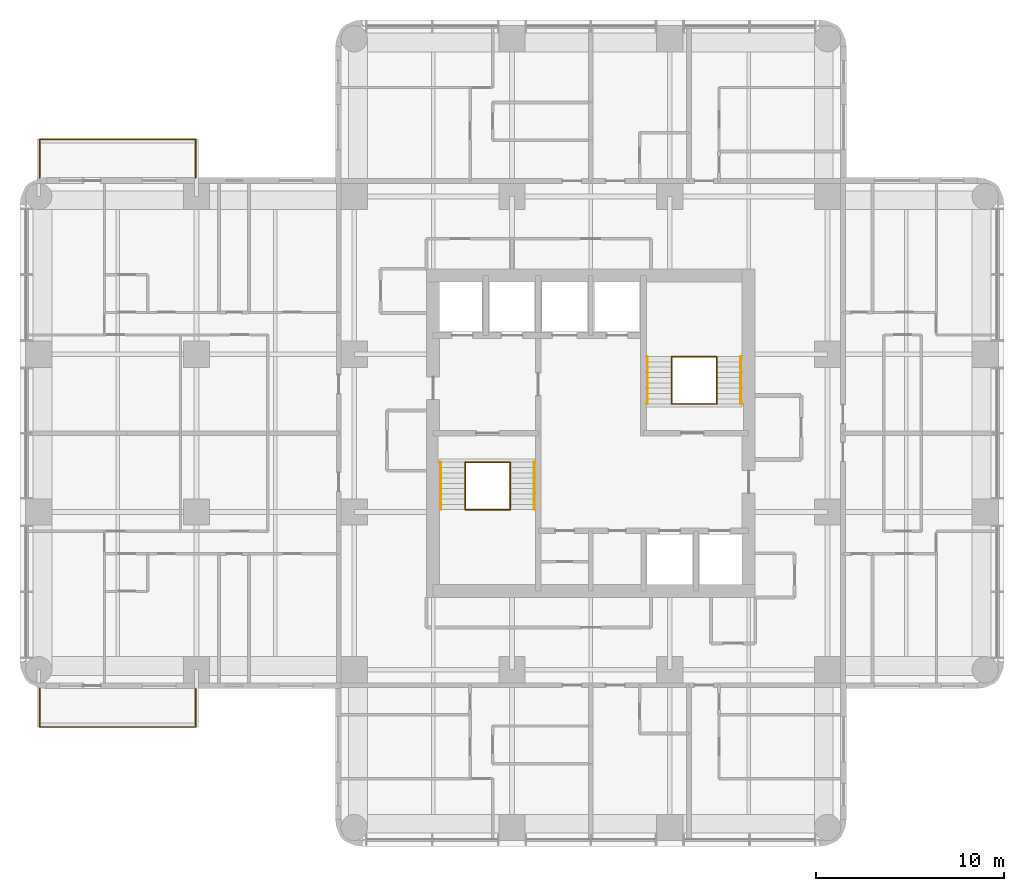
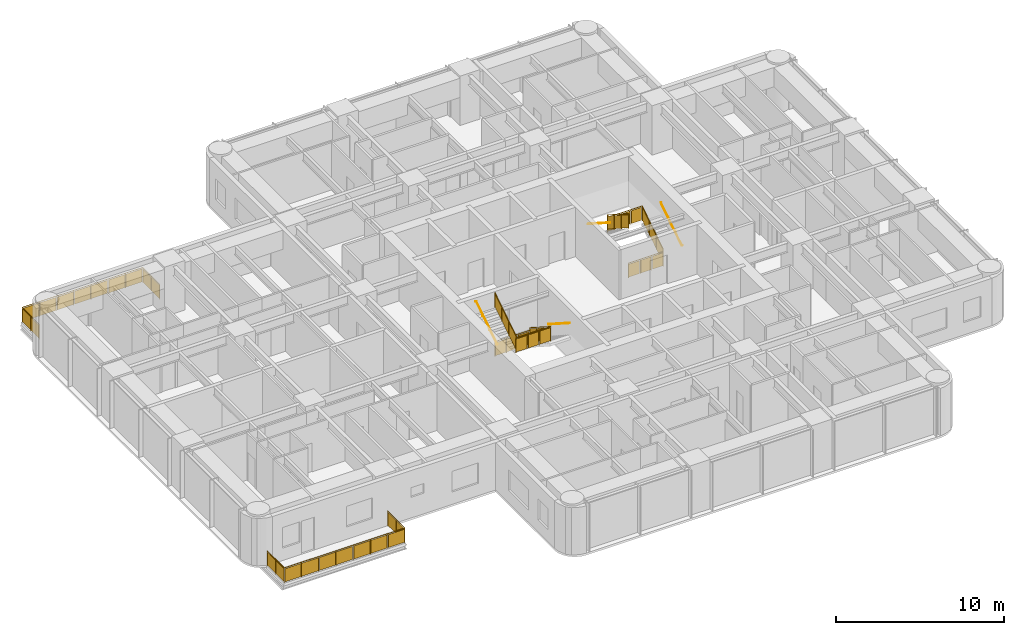
# One storey, part 11 of 11: 14 railings.
"""IFC4 building model written with IfcOpenShell, lengths in metres."""

from ifc_helpers import new_model, si_unit, direction, frame, origin, origin_2d, place, context, subcontext, project, spatial, polyline, circle, outline, extrude, material, constituent, constituent_set, type_object, element, save


model = new_model("IFC4")

# Units and contexts
model_context = context("Model", 3, precision=1e-05, world=origin(), true_north=direction((0.0, 1.0)))
body_context = subcontext(model_context, "Body", "Model", "MODEL_VIEW")
ifc_project = project(units=[si_unit("LENGTHUNIT", "METRE"), si_unit("AREAUNIT", "SQUARE_METRE"), si_unit("VOLUMEUNIT", "CUBIC_METRE"), si_unit("PLANEANGLEUNIT", "RADIAN"), si_unit("MASSUNIT", "GRAM", prefix="KILO")], contexts=[model_context])

# Site, building, storey
site_placement = place(None, origin())
site = spatial("IfcSite", under=ifc_project, at=site_placement, CompositionType="ELEMENT")
building_placement = place(site_placement, origin())
building = spatial("IfcBuilding", under=site, at=building_placement, Name="Torre Alcanfor", CompositionType="ELEMENT")
storey_placement = place(building_placement, frame((0.0, 0.0, 208.5)))
storey = spatial("IfcBuildingStorey", under=building, at=storey_placement, Name="L54", CompositionType="ELEMENT", Elevation=208.5)

# Railings
ifc_material_1 = material(Name="Laminated safety glass", Category="glass")
ifc_constituent_1 = constituent(ifc_material_1, Name="Infill")
ifc_material_2 = material(Name="Stainless steel ASTM A554 Grade MT 316L tube", Category="steel")
ifc_constituent_2 = constituent(ifc_material_2, Name="Posts and rail")
ifc_constituent_set = constituent_set(constituents=[ifc_constituent_1, ifc_constituent_2], Name="Balcony guard glass 1100")
railing_type_1 = type_object("IfcRailingType", Name="Balcony guard glass 1100", PredefinedType="BALUSTRADE", material=ifc_constituent_set)
railing_1_placement = place(storey_placement, frame((8.35009765625, 15.800048828125, 0.0)))
element("IfcRailing", 1, at=railing_1_placement, inside=storey, type_object=railing_type_1, Name="Balcony guard L54-W1", PredefinedType="BALUSTRADE", context=body_context, shape_type="SweptSolid", body=[
    extrude(circle(Radius=0.02392578125, at=origin_2d()), frame((0.0, 0.0, 1.076171875), z_axis=(0.0, -1.0, 0.0), x_axis=(1.0, 0.0, 0.0)), (0.0, 0.0, 1.0), 2.050048828125),
    extrude(circle(Radius=0.02392578125, at=origin_2d()), frame((0.0, -2.050048828125, 1.076171875), z_axis=(-1.0, 0.0, 0.0), x_axis=(0.0, -1.0, 0.0)), (0.0, 0.0, 1.0), 8.300048828125),
    extrude(circle(Radius=0.02392578125, at=origin_2d()), frame((-8.300048828125, -2.050048828125, 1.076171875), z_axis=(0.0, 1.0, 0.0), x_axis=(-1.0, 0.0, 0.0)), (0.0, 0.0, 1.0), 2.050048828125),
    extrude(circle(Radius=0.02099609375, at=origin_2d()), origin(), (0.0, 0.0, 1.0), 1.052001953125),
    extrude(circle(Radius=0.02099609375, at=origin_2d()), frame((0.0, -1.02490234375, 0.0)), (0.0, 0.0, 1.0), 1.052001953125),
    extrude(circle(Radius=0.02099609375, at=origin_2d()), frame((0.0, -2.050048828125, 0.0)), (0.0, 0.0, 1.0), 1.052001953125),
    extrude(circle(Radius=0.02099609375, at=origin_2d()), frame((-1.185791015625, -2.050048828125, 0.0)), (0.0, 0.0, 1.0), 1.052001953125),
    extrude(circle(Radius=0.02099609375, at=origin_2d()), frame((-2.371337890625, -2.050048828125, 0.0)), (0.0, 0.0, 1.0), 1.052001953125),
    extrude(circle(Radius=0.02099609375, at=origin_2d()), frame((-3.55712890625, -2.050048828125, 0.0)), (0.0, 0.0, 1.0), 1.052001953125),
    extrude(circle(Radius=0.02099609375, at=origin_2d()), frame((-4.742919921875, -2.050048828125, 0.0)), (0.0, 0.0, 1.0), 1.052001953125),
    extrude(circle(Radius=0.02099609375, at=origin_2d()), frame((-5.9287109375, -2.050048828125, 0.0)), (0.0, 0.0, 1.0), 1.052001953125),
    extrude(circle(Radius=0.02099609375, at=origin_2d()), frame((-7.1142578125, -2.050048828125, 0.0)), (0.0, 0.0, 1.0), 1.052001953125),
    extrude(circle(Radius=0.02099609375, at=origin_2d()), frame((-8.300048828125, -2.050048828125, 0.0)), (0.0, 0.0, 1.0), 1.052001953125),
    extrude(circle(Radius=0.02099609375, at=origin_2d()), frame((-8.300048828125, -1.02490234375, 0.0)), (0.0, 0.0, 1.0), 1.052001953125),
    extrude(circle(Radius=0.02099609375, at=origin_2d()), frame((-8.300048828125, 0.0, 0.0)), (0.0, 0.0, 1.0), 1.052001953125),
    extrude(outline(polyline([(0.041015625, 0.050048828125), (0.984130859375, 0.050048828125), (0.984130859375, 1.001953125), (0.041015625, 1.001953125), (0.041015625, 0.050048828125)])), frame((0.005859375, 0.0, 0.0), z_axis=(-1.0, 0.0, 0.0), x_axis=(0.0, -1.0, 0.0)), (0.0, 0.0, 1.0), 0.011962890625),
    extrude(outline(polyline([(1.06591796875, 0.050048828125), (2.009033203125, 0.050048828125), (2.009033203125, 1.001953125), (1.06591796875, 1.001953125), (1.06591796875, 0.050048828125)])), frame((0.005859375, 0.0, 0.0), z_axis=(-1.0, 0.0, 0.0), x_axis=(0.0, -1.0, 0.0)), (0.0, 0.0, 1.0), 0.011962890625),
    extrude(outline(polyline([(0.041015625, 0.050048828125), (1.144775390625, 0.050048828125), (1.144775390625, 1.001953125), (0.041015625, 1.001953125), (0.041015625, 0.050048828125)])), frame((0.0, -2.05615234375, 0.0), z_axis=(0.0, 1.0, 0.0), x_axis=(-1.0, 0.0, 0.0)), (0.0, 0.0, 1.0), 0.011962890625),
    extrude(outline(polyline([(1.226806640625, 0.050048828125), (2.330322265625, 0.050048828125), (2.330322265625, 1.001953125), (1.226806640625, 1.001953125), (1.226806640625, 0.050048828125)])), frame((0.0, -2.05615234375, 0.0), z_axis=(0.0, 1.0, 0.0), x_axis=(-1.0, 0.0, 0.0)), (0.0, 0.0, 1.0), 0.011962890625),
    extrude(outline(polyline([(2.412353515625, 0.050048828125), (3.51611328125, 0.050048828125), (3.51611328125, 1.001953125), (2.412353515625, 1.001953125), (2.412353515625, 0.050048828125)])), frame((0.0, -2.05615234375, 0.0), z_axis=(0.0, 1.0, 0.0), x_axis=(-1.0, 0.0, 0.0)), (0.0, 0.0, 1.0), 0.011962890625),
    extrude(outline(polyline([(3.59814453125, 0.050048828125), (4.701904296875, 0.050048828125), (4.701904296875, 1.001953125), (3.59814453125, 1.001953125), (3.59814453125, 0.050048828125)])), frame((0.0, -2.05615234375, 0.0), z_axis=(0.0, 1.0, 0.0), x_axis=(-1.0, 0.0, 0.0)), (0.0, 0.0, 1.0), 0.011962890625),
    extrude(outline(polyline([(4.783935546875, 0.050048828125), (5.8876953125, 0.050048828125), (5.8876953125, 1.001953125), (4.783935546875, 1.001953125), (4.783935546875, 0.050048828125)])), frame((0.0, -2.05615234375, 0.0), z_axis=(0.0, 1.0, 0.0), x_axis=(-1.0, 0.0, 0.0)), (0.0, 0.0, 1.0), 0.011962890625),
    extrude(outline(polyline([(5.9697265625, 0.050048828125), (7.0732421875, 0.050048828125), (7.0732421875, 1.001953125), (5.9697265625, 1.001953125), (5.9697265625, 0.050048828125)])), frame((0.0, -2.05615234375, 0.0), z_axis=(0.0, 1.0, 0.0), x_axis=(-1.0, 0.0, 0.0)), (0.0, 0.0, 1.0), 0.011962890625),
    extrude(outline(polyline([(7.1552734375, 0.050048828125), (8.259033203125, 0.050048828125), (8.259033203125, 1.001953125), (7.1552734375, 1.001953125), (7.1552734375, 0.050048828125)])), frame((0.0, -2.05615234375, 0.0), z_axis=(0.0, 1.0, 0.0), x_axis=(-1.0, 0.0, 0.0)), (0.0, 0.0, 1.0), 0.011962890625),
    extrude(outline(polyline([(0.041015625, 0.050048828125), (0.984130859375, 0.050048828125), (0.984130859375, 1.001953125), (0.041015625, 1.001953125), (0.041015625, 0.050048828125)])), frame((-8.30615234375, -2.050048828125, 0.0), z_axis=(1.0, 0.0, 0.0), x_axis=(0.0, 1.0, 0.0)), (0.0, 0.0, 1.0), 0.011962890625),
    extrude(outline(polyline([(1.06591796875, 0.050048828125), (2.009033203125, 0.050048828125), (2.009033203125, 1.001953125), (1.06591796875, 1.001953125), (1.06591796875, 0.050048828125)])), frame((-8.30615234375, -2.050048828125, 0.0), z_axis=(1.0, 0.0, 0.0), x_axis=(0.0, 1.0, 0.0)), (0.0, 0.0, 1.0), 0.011962890625),
])
railing_2_placement = place(storey_placement, frame((8.35009765625, 43.0, 0.0)))
element("IfcRailing", 2, at=railing_2_placement, inside=storey, type_object=railing_type_1, Name="Balcony guard L54-W2", PredefinedType="BALUSTRADE", context=body_context, shape_type="SweptSolid", body=[
    extrude(circle(Radius=0.02392578125, at=origin_2d()), frame((0.0, 0.0, 1.076171875), z_axis=(0.0, 1.0, 0.0), x_axis=(-1.0, 0.0, 0.0)), (0.0, 0.0, 1.0), 2.050048828125),
    extrude(circle(Radius=0.02392578125, at=origin_2d()), frame((0.0, 2.050048828125, 1.076171875), z_axis=(-1.0, 0.0, 0.0), x_axis=(0.0, -1.0, 0.0)), (0.0, 0.0, 1.0), 8.300048828125),
    extrude(circle(Radius=0.02392578125, at=origin_2d()), frame((-8.300048828125, 2.050048828125, 1.076171875), z_axis=(0.0, -1.0, 0.0), x_axis=(1.0, 0.0, 0.0)), (0.0, 0.0, 1.0), 2.050048828125),
    extrude(circle(Radius=0.02099609375, at=origin_2d()), origin(), (0.0, 0.0, 1.0), 1.052001953125),
    extrude(circle(Radius=0.02099609375, at=origin_2d()), frame((0.0, 1.02490234375, 0.0)), (0.0, 0.0, 1.0), 1.052001953125),
    extrude(circle(Radius=0.02099609375, at=origin_2d()), frame((0.0, 2.050048828125, 0.0)), (0.0, 0.0, 1.0), 1.052001953125),
    extrude(circle(Radius=0.02099609375, at=origin_2d()), frame((-1.185791015625, 2.050048828125, 0.0)), (0.0, 0.0, 1.0), 1.052001953125),
    extrude(circle(Radius=0.02099609375, at=origin_2d()), frame((-2.371337890625, 2.050048828125, 0.0)), (0.0, 0.0, 1.0), 1.052001953125),
    extrude(circle(Radius=0.02099609375, at=origin_2d()), frame((-3.55712890625, 2.050048828125, 0.0)), (0.0, 0.0, 1.0), 1.052001953125),
    extrude(circle(Radius=0.02099609375, at=origin_2d()), frame((-4.742919921875, 2.050048828125, 0.0)), (0.0, 0.0, 1.0), 1.052001953125),
    extrude(circle(Radius=0.02099609375, at=origin_2d()), frame((-5.9287109375, 2.050048828125, 0.0)), (0.0, 0.0, 1.0), 1.052001953125),
    extrude(circle(Radius=0.02099609375, at=origin_2d()), frame((-7.1142578125, 2.050048828125, 0.0)), (0.0, 0.0, 1.0), 1.052001953125),
    extrude(circle(Radius=0.02099609375, at=origin_2d()), frame((-8.300048828125, 2.050048828125, 0.0)), (0.0, 0.0, 1.0), 1.052001953125),
    extrude(circle(Radius=0.02099609375, at=origin_2d()), frame((-8.300048828125, 1.02490234375, 0.0)), (0.0, 0.0, 1.0), 1.052001953125),
    extrude(circle(Radius=0.02099609375, at=origin_2d()), frame((-8.300048828125, 0.0, 0.0)), (0.0, 0.0, 1.0), 1.052001953125),
    extrude(outline(polyline([(0.041015625, 0.050048828125), (0.984130859375, 0.050048828125), (0.984130859375, 1.001953125), (0.041015625, 1.001953125), (0.041015625, 0.050048828125)])), frame((-0.005859375, 0.0, 0.0), z_axis=(1.0, 0.0, 0.0), x_axis=(0.0, 1.0, 0.0)), (0.0, 0.0, 1.0), 0.011962890625),
    extrude(outline(polyline([(1.06591796875, 0.050048828125), (2.009033203125, 0.050048828125), (2.009033203125, 1.001953125), (1.06591796875, 1.001953125), (1.06591796875, 0.050048828125)])), frame((-0.005859375, 0.0, 0.0), z_axis=(1.0, 0.0, 0.0), x_axis=(0.0, 1.0, 0.0)), (0.0, 0.0, 1.0), 0.011962890625),
    extrude(outline(polyline([(0.041015625, 0.050048828125), (1.144775390625, 0.050048828125), (1.144775390625, 1.001953125), (0.041015625, 1.001953125), (0.041015625, 0.050048828125)])), frame((0.0, 2.0439453125, 0.0), z_axis=(0.0, 1.0, 0.0), x_axis=(-1.0, 0.0, 0.0)), (0.0, 0.0, 1.0), 0.011962890625),
    extrude(outline(polyline([(1.226806640625, 0.050048828125), (2.330322265625, 0.050048828125), (2.330322265625, 1.001953125), (1.226806640625, 1.001953125), (1.226806640625, 0.050048828125)])), frame((0.0, 2.0439453125, 0.0), z_axis=(0.0, 1.0, 0.0), x_axis=(-1.0, 0.0, 0.0)), (0.0, 0.0, 1.0), 0.011962890625),
    extrude(outline(polyline([(2.412353515625, 0.050048828125), (3.51611328125, 0.050048828125), (3.51611328125, 1.001953125), (2.412353515625, 1.001953125), (2.412353515625, 0.050048828125)])), frame((0.0, 2.0439453125, 0.0), z_axis=(0.0, 1.0, 0.0), x_axis=(-1.0, 0.0, 0.0)), (0.0, 0.0, 1.0), 0.011962890625),
    extrude(outline(polyline([(3.59814453125, 0.050048828125), (4.701904296875, 0.050048828125), (4.701904296875, 1.001953125), (3.59814453125, 1.001953125), (3.59814453125, 0.050048828125)])), frame((0.0, 2.0439453125, 0.0), z_axis=(0.0, 1.0, 0.0), x_axis=(-1.0, 0.0, 0.0)), (0.0, 0.0, 1.0), 0.011962890625),
    extrude(outline(polyline([(4.783935546875, 0.050048828125), (5.8876953125, 0.050048828125), (5.8876953125, 1.001953125), (4.783935546875, 1.001953125), (4.783935546875, 0.050048828125)])), frame((0.0, 2.0439453125, 0.0), z_axis=(0.0, 1.0, 0.0), x_axis=(-1.0, 0.0, 0.0)), (0.0, 0.0, 1.0), 0.011962890625),
    extrude(outline(polyline([(5.9697265625, 0.050048828125), (7.0732421875, 0.050048828125), (7.0732421875, 1.001953125), (5.9697265625, 1.001953125), (5.9697265625, 0.050048828125)])), frame((0.0, 2.0439453125, 0.0), z_axis=(0.0, 1.0, 0.0), x_axis=(-1.0, 0.0, 0.0)), (0.0, 0.0, 1.0), 0.011962890625),
    extrude(outline(polyline([(7.1552734375, 0.050048828125), (8.259033203125, 0.050048828125), (8.259033203125, 1.001953125), (7.1552734375, 1.001953125), (7.1552734375, 0.050048828125)])), frame((0.0, 2.0439453125, 0.0), z_axis=(0.0, 1.0, 0.0), x_axis=(-1.0, 0.0, 0.0)), (0.0, 0.0, 1.0), 0.011962890625),
    extrude(outline(polyline([(0.041015625, 0.050048828125), (0.984130859375, 0.050048828125), (0.984130859375, 1.001953125), (0.041015625, 1.001953125), (0.041015625, 0.050048828125)])), frame((-8.2939453125, 2.050048828125, 0.0), z_axis=(-1.0, 0.0, 0.0), x_axis=(0.0, -1.0, 0.0)), (0.0, 0.0, 1.0), 0.011962890625),
    extrude(outline(polyline([(1.06591796875, 0.050048828125), (2.009033203125, 0.050048828125), (2.009033203125, 1.001953125), (1.06591796875, 1.001953125), (1.06591796875, 0.050048828125)])), frame((-8.2939453125, 2.050048828125, 0.0), z_axis=(-1.0, 0.0, 0.0), x_axis=(0.0, -1.0, 0.0)), (0.0, 0.0, 1.0), 0.011962890625),
])
ifc_material_3 = material(Name="Steel ASTM A500 Grade C hollow sections", Category="steel")
railing_type_2 = type_object("IfcRailingType", Name="Stair guard and handrail 1100", PredefinedType="GUARDRAIL", material=ifc_material_3)
railing_3_placement = place(storey_placement, frame((25.10009765625, 27.85009765625, 0.179931640625)))
element("IfcRailing", 3, at=railing_3_placement, inside=storey, type_object=railing_type_2, Name="Stair guard S1 L54 flight 1", PredefinedType="GUARDRAIL", context=body_context, shape_type="SweptSolid", body=[
    extrude(circle(Radius=0.02392578125, at=origin_2d()), frame((0.0, 0.0, 1.076171875), z_axis=(0.0, -0.841162588446, 0.540782303519), x_axis=(1.0, 0.0, 0.0)), (0.0, 0.0, 1.0), 2.995849609375),
    extrude(circle(Radius=0.02099609375, at=origin_2d()), origin(), (0.0, 0.0, 1.0), 1.052001953125),
    extrude(circle(Radius=0.02099609375, at=origin_2d()), frame((0.0, -0.840087890625, 0.5400390625)), (0.0, 0.0, 1.0), 1.052001953125),
    extrude(circle(Radius=0.02099609375, at=origin_2d()), frame((0.0, -1.679931640625, 1.080078125)), (0.0, 0.0, 1.0), 1.052001953125),
    extrude(circle(Radius=0.02099609375, at=origin_2d()), frame((0.0, -2.52001953125, 1.6201171875)), (0.0, 0.0, 1.0), 1.052001953125),
    extrude(outline(polyline([(0.041015625, 0.076416015625), (0.799072265625, 0.563720703125), (0.799072265625, 1.515625), (0.041015625, 1.0283203125), (0.041015625, 0.076416015625)])), frame((0.005859375, 0.0, 0.0), z_axis=(-1.0, 0.0, 0.0), x_axis=(0.0, -1.0, 0.0)), (0.0, 0.0, 1.0), 0.011962890625),
    extrude(outline(polyline([(0.881103515625, 0.616455078125), (1.638916015625, 1.103759765625), (1.638916015625, 2.0556640625), (0.881103515625, 1.568359375), (0.881103515625, 0.616455078125)])), frame((0.005859375, 0.0, 0.0), z_axis=(-1.0, 0.0, 0.0), x_axis=(0.0, -1.0, 0.0)), (0.0, 0.0, 1.0), 0.011962890625),
    extrude(outline(polyline([(1.720947265625, 1.156494140625), (2.47900390625, 1.643798828125), (2.47900390625, 2.595703125), (1.720947265625, 2.1083984375), (1.720947265625, 1.156494140625)])), frame((0.005859375, 0.0, 0.0), z_axis=(-1.0, 0.0, 0.0), x_axis=(0.0, -1.0, 0.0)), (0.0, 0.0, 1.0), 0.011962890625),
])
railing_4_placement = place(storey_placement, frame((22.699951171875, 25.330078125, 1.97998046875)))
element("IfcRailing", 4, at=railing_4_placement, inside=storey, type_object=railing_type_2, Name="Stair guard S1 L54 flight 2", PredefinedType="GUARDRAIL", context=body_context, shape_type="SweptSolid", body=[
    extrude(circle(Radius=0.02392578125, at=origin_2d()), frame((0.0, 0.0, 1.076171875), z_axis=(0.0, 0.841162588446, 0.540782303519), x_axis=(-1.0, 0.0, 0.0)), (0.0, 0.0, 1.0), 2.995849609375),
    extrude(circle(Radius=0.02099609375, at=origin_2d()), origin(), (0.0, 0.0, 1.0), 1.052001953125),
    extrude(circle(Radius=0.02099609375, at=origin_2d()), frame((0.0, 0.840087890625, 0.5400390625)), (0.0, 0.0, 1.0), 1.052001953125),
    extrude(circle(Radius=0.02099609375, at=origin_2d()), frame((0.0, 1.679931640625, 1.080078125)), (0.0, 0.0, 1.0), 1.052001953125),
    extrude(circle(Radius=0.02099609375, at=origin_2d()), frame((0.0, 2.52001953125, 1.6201171875)), (0.0, 0.0, 1.0), 1.052001953125),
    extrude(outline(polyline([(0.041015625, 0.076416015625), (0.799072265625, 0.563720703125), (0.799072265625, 1.515625), (0.041015625, 1.0283203125), (0.041015625, 0.076416015625)])), frame((-0.005859375, 0.0, 0.0), z_axis=(1.0, 0.0, 0.0), x_axis=(0.0, 1.0, 0.0)), (0.0, 0.0, 1.0), 0.011962890625),
    extrude(outline(polyline([(0.881103515625, 0.616455078125), (1.638916015625, 1.103759765625), (1.638916015625, 2.0556640625), (0.881103515625, 1.568359375), (0.881103515625, 0.616455078125)])), frame((-0.005859375, 0.0, 0.0), z_axis=(1.0, 0.0, 0.0), x_axis=(0.0, 1.0, 0.0)), (0.0, 0.0, 1.0), 0.011962890625),
    extrude(outline(polyline([(1.720947265625, 1.156494140625), (2.47900390625, 1.643798828125), (2.47900390625, 2.595703125), (1.720947265625, 2.1083984375), (1.720947265625, 1.156494140625)])), frame((-0.005859375, 0.0, 0.0), z_axis=(1.0, 0.0, 0.0), x_axis=(0.0, 1.0, 0.0)), (0.0, 0.0, 1.0), 0.011962890625),
])
for number, where, name in (
    (5, (22.699951171875, 27.85009765625, 0.0), "Stair well guard S1 L54 floor landing"),
    (6, (22.699951171875, 25.330078125, 1.800048828125), "Stair well guard S1 L54 half landing"),
):
    element("IfcRailing", number, at=place(storey_placement, frame(where)), inside=storey, type_object=railing_type_2, Name=name, PredefinedType="GUARDRAIL", context=body_context, shape_type="SweptSolid", body=[
        extrude(circle(Radius=0.02392578125, at=origin_2d()), frame((0.0, 0.0, 1.076171875), z_axis=(1.0, 0.0, 0.0), x_axis=(0.0, 1.0, 0.0)), (0.0, 0.0, 1.0), 2.400146484375),
        extrude(circle(Radius=0.02099609375, at=origin_2d()), origin(), (0.0, 0.0, 1.0), 1.052001953125),
        extrude(circle(Radius=0.02099609375, at=origin_2d()), frame((0.800048828125, 0.0, 0.0)), (0.0, 0.0, 1.0), 1.052001953125),
        extrude(circle(Radius=0.02099609375, at=origin_2d()), frame((1.60009765625, 0.0, 0.0)), (0.0, 0.0, 1.0), 1.052001953125),
        extrude(circle(Radius=0.02099609375, at=origin_2d()), frame((2.400146484375, 0.0, 0.0)), (0.0, 0.0, 1.0), 1.052001953125),
        extrude(outline(polyline([(0.041015625, 0.050048828125), (0.759033203125, 0.050048828125), (0.759033203125, 1.001953125), (0.041015625, 1.001953125), (0.041015625, 0.050048828125)])), frame((0.0, 0.005859375, 0.0), z_axis=(0.0, -1.0, 0.0), x_axis=(1.0, 0.0, 0.0)), (0.0, 0.0, 1.0), 0.011962890625),
        extrude(outline(polyline([(0.841064453125, 0.050048828125), (1.55908203125, 0.050048828125), (1.55908203125, 1.001953125), (0.841064453125, 1.001953125), (0.841064453125, 0.050048828125)])), frame((0.0, 0.005859375, 0.0), z_axis=(0.0, -1.0, 0.0), x_axis=(1.0, 0.0, 0.0)), (0.0, 0.0, 1.0), 0.011962890625),
        extrude(outline(polyline([(1.64111328125, 0.050048828125), (2.359130859375, 0.050048828125), (2.359130859375, 1.001953125), (1.64111328125, 1.001953125), (1.64111328125, 0.050048828125)])), frame((0.0, 0.005859375, 0.0), z_axis=(0.0, -1.0, 0.0), x_axis=(1.0, 0.0, 0.0)), (0.0, 0.0, 1.0), 0.011962890625),
    ])
railing_5_placement = place(storey_placement, frame((36.10009765625, 30.949951171875, 0.179931640625)))
element("IfcRailing", 7, at=railing_5_placement, inside=storey, type_object=railing_type_2, Name="Stair guard S2 L54 flight 1", PredefinedType="GUARDRAIL", context=body_context, shape_type="SweptSolid", body=[
    extrude(circle(Radius=0.02392578125, at=origin_2d()), frame((0.0, 0.0, 1.076171875), z_axis=(0.0, 0.841162588446, 0.540782303519), x_axis=(-1.0, 0.0, 0.0)), (0.0, 0.0, 1.0), 2.995849609375),
    extrude(circle(Radius=0.02099609375, at=origin_2d()), origin(), (0.0, 0.0, 1.0), 1.052001953125),
    extrude(circle(Radius=0.02099609375, at=origin_2d()), frame((0.0, 0.840087890625, 0.5400390625)), (0.0, 0.0, 1.0), 1.052001953125),
    extrude(circle(Radius=0.02099609375, at=origin_2d()), frame((0.0, 1.679931640625, 1.080078125)), (0.0, 0.0, 1.0), 1.052001953125),
    extrude(circle(Radius=0.02099609375, at=origin_2d()), frame((0.0, 2.52001953125, 1.6201171875)), (0.0, 0.0, 1.0), 1.052001953125),
    extrude(outline(polyline([(0.041015625, 0.076416015625), (0.799072265625, 0.563720703125), (0.799072265625, 1.515625), (0.041015625, 1.0283203125), (0.041015625, 0.076416015625)])), frame((-0.005859375, 0.0, 0.0), z_axis=(1.0, 0.0, 0.0), x_axis=(0.0, 1.0, 0.0)), (0.0, 0.0, 1.0), 0.011962890625),
    extrude(outline(polyline([(0.881103515625, 0.616455078125), (1.638916015625, 1.103759765625), (1.638916015625, 2.0556640625), (0.881103515625, 1.568359375), (0.881103515625, 0.616455078125)])), frame((-0.005859375, 0.0, 0.0), z_axis=(1.0, 0.0, 0.0), x_axis=(0.0, 1.0, 0.0)), (0.0, 0.0, 1.0), 0.011962890625),
    extrude(outline(polyline([(1.720947265625, 1.156494140625), (2.47900390625, 1.643798828125), (2.47900390625, 2.595703125), (1.720947265625, 2.1083984375), (1.720947265625, 1.156494140625)])), frame((-0.005859375, 0.0, 0.0), z_axis=(1.0, 0.0, 0.0), x_axis=(0.0, 1.0, 0.0)), (0.0, 0.0, 1.0), 0.011962890625),
])
railing_6_placement = place(storey_placement, frame((33.699951171875, 33.469970703125, 1.97998046875)))
element("IfcRailing", 8, at=railing_6_placement, inside=storey, type_object=railing_type_2, Name="Stair guard S2 L54 flight 2", PredefinedType="GUARDRAIL", context=body_context, shape_type="SweptSolid", body=[
    extrude(circle(Radius=0.02392578125, at=origin_2d()), frame((0.0, 0.0, 1.076171875), z_axis=(0.0, -0.841162588446, 0.540782303519), x_axis=(1.0, 0.0, 0.0)), (0.0, 0.0, 1.0), 2.995849609375),
    extrude(circle(Radius=0.02099609375, at=origin_2d()), origin(), (0.0, 0.0, 1.0), 1.052001953125),
    extrude(circle(Radius=0.02099609375, at=origin_2d()), frame((0.0, -0.840087890625, 0.5400390625)), (0.0, 0.0, 1.0), 1.052001953125),
    extrude(circle(Radius=0.02099609375, at=origin_2d()), frame((0.0, -1.679931640625, 1.080078125)), (0.0, 0.0, 1.0), 1.052001953125),
    extrude(circle(Radius=0.02099609375, at=origin_2d()), frame((0.0, -2.52001953125, 1.6201171875)), (0.0, 0.0, 1.0), 1.052001953125),
    extrude(outline(polyline([(0.041015625, 0.076416015625), (0.799072265625, 0.563720703125), (0.799072265625, 1.515625), (0.041015625, 1.0283203125), (0.041015625, 0.076416015625)])), frame((0.005859375, 0.0, 0.0), z_axis=(-1.0, 0.0, 0.0), x_axis=(0.0, -1.0, 0.0)), (0.0, 0.0, 1.0), 0.011962890625),
    extrude(outline(polyline([(0.881103515625, 0.616455078125), (1.638916015625, 1.103759765625), (1.638916015625, 2.0556640625), (0.881103515625, 1.568359375), (0.881103515625, 0.616455078125)])), frame((0.005859375, 0.0, 0.0), z_axis=(-1.0, 0.0, 0.0), x_axis=(0.0, -1.0, 0.0)), (0.0, 0.0, 1.0), 0.011962890625),
    extrude(outline(polyline([(1.720947265625, 1.156494140625), (2.47900390625, 1.643798828125), (2.47900390625, 2.595703125), (1.720947265625, 2.1083984375), (1.720947265625, 1.156494140625)])), frame((0.005859375, 0.0, 0.0), z_axis=(-1.0, 0.0, 0.0), x_axis=(0.0, -1.0, 0.0)), (0.0, 0.0, 1.0), 0.011962890625),
])
for number, where, name in (
    (9, (33.699951171875, 30.949951171875, 0.0), "Stair well guard S2 L54 floor landing"),
    (10, (33.699951171875, 33.469970703125, 1.800048828125), "Stair well guard S2 L54 half landing"),
):
    element("IfcRailing", number, at=place(storey_placement, frame(where)), inside=storey, type_object=railing_type_2, Name=name, PredefinedType="GUARDRAIL", context=body_context, shape_type="SweptSolid", body=[
        extrude(circle(Radius=0.02392578125, at=origin_2d()), frame((0.0, 0.0, 1.076171875), z_axis=(1.0, 0.0, 0.0), x_axis=(0.0, 1.0, 0.0)), (0.0, 0.0, 1.0), 2.400146484375),
        extrude(circle(Radius=0.02099609375, at=origin_2d()), origin(), (0.0, 0.0, 1.0), 1.052001953125),
        extrude(circle(Radius=0.02099609375, at=origin_2d()), frame((0.800048828125, 0.0, 0.0)), (0.0, 0.0, 1.0), 1.052001953125),
        extrude(circle(Radius=0.02099609375, at=origin_2d()), frame((1.60009765625, 0.0, 0.0)), (0.0, 0.0, 1.0), 1.052001953125),
        extrude(circle(Radius=0.02099609375, at=origin_2d()), frame((2.400146484375, 0.0, 0.0)), (0.0, 0.0, 1.0), 1.052001953125),
        extrude(outline(polyline([(0.041015625, 0.050048828125), (0.759033203125, 0.050048828125), (0.759033203125, 1.001953125), (0.041015625, 1.001953125), (0.041015625, 0.050048828125)])), frame((0.0, 0.005859375, 0.0), z_axis=(0.0, -1.0, 0.0), x_axis=(1.0, 0.0, 0.0)), (0.0, 0.0, 1.0), 0.011962890625),
        extrude(outline(polyline([(0.841064453125, 0.050048828125), (1.55908203125, 0.050048828125), (1.55908203125, 1.001953125), (0.841064453125, 1.001953125), (0.841064453125, 0.050048828125)])), frame((0.0, 0.005859375, 0.0), z_axis=(0.0, -1.0, 0.0), x_axis=(1.0, 0.0, 0.0)), (0.0, 0.0, 1.0), 0.011962890625),
        extrude(outline(polyline([(1.64111328125, 0.050048828125), (2.359130859375, 0.050048828125), (2.359130859375, 1.001953125), (1.64111328125, 1.001953125), (1.64111328125, 0.050048828125)])), frame((0.0, 0.005859375, 0.0), z_axis=(0.0, -1.0, 0.0), x_axis=(1.0, 0.0, 0.0)), (0.0, 0.0, 1.0), 0.011962890625),
    ])
ifc_material_4 = material(Name="Steel ASTM A500 Grade C hollow sections", Category="steel")
railing_type_3 = type_object("IfcRailingType", Name="Stair wall handrail 900", PredefinedType="HANDRAIL", material=ifc_material_4)
railing_7_placement = place(storey_placement, frame((26.385009765625, 27.85009765625, 0.179931640625)))
element("IfcRailing", 11, at=railing_7_placement, inside=storey, type_object=railing_type_3, Name="Stair handrail S1 L54 flight 1", PredefinedType="HANDRAIL", context=body_context, shape_type="SweptSolid", body=[
    extrude(circle(Radius=0.02392578125, at=origin_2d()), frame((0.0, 0.0, 0.8759765625), z_axis=(0.0, -0.841162588446, 0.540782303519), x_axis=(1.0, 0.0, 0.0)), (0.0, 0.0, 1.0), 2.995849609375),
    extrude(circle(Radius=0.008056640625, at=origin_2d()), frame((0.0, 0.0, 0.8759765625), z_axis=(1.0, 0.0, 0.0), x_axis=(0.0, 0.0, 1.0)), (0.0, 0.0, 1.0), 0.06494140625),
    extrude(circle(Radius=0.008056640625, at=origin_2d()), frame((0.0, -0.840087890625, 1.416015625), z_axis=(1.0, 0.0, 0.0), x_axis=(0.0, 0.0, 1.0)), (0.0, 0.0, 1.0), 0.06494140625),
    extrude(circle(Radius=0.008056640625, at=origin_2d()), frame((0.0, -1.679931640625, 1.9560546875), z_axis=(1.0, 0.0, 0.0), x_axis=(0.0, 0.0, 1.0)), (0.0, 0.0, 1.0), 0.06494140625),
    extrude(circle(Radius=0.008056640625, at=origin_2d()), frame((0.0, -2.52001953125, 2.49609375), z_axis=(1.0, 0.0, 0.0), x_axis=(0.0, 0.0, 1.0)), (0.0, 0.0, 1.0), 0.06494140625),
])
railing_8_placement = place(storey_placement, frame((21.4150390625, 25.330078125, 1.97998046875)))
element("IfcRailing", 12, at=railing_8_placement, inside=storey, type_object=railing_type_3, Name="Stair handrail S1 L54 flight 2", PredefinedType="HANDRAIL", context=body_context, shape_type="SweptSolid", body=[
    extrude(circle(Radius=0.02392578125, at=origin_2d()), frame((0.0, 0.0, 0.8759765625), z_axis=(0.0, 0.841162588446, 0.540782303519), x_axis=(-1.0, 0.0, 0.0)), (0.0, 0.0, 1.0), 2.995849609375),
    extrude(circle(Radius=0.008056640625, at=origin_2d()), frame((0.0, 0.0, 0.8759765625), z_axis=(-1.0, 0.0, 0.0), x_axis=(0.0, 0.0, 1.0)), (0.0, 0.0, 1.0), 0.06494140625),
    extrude(circle(Radius=0.008056640625, at=origin_2d()), frame((0.0, 0.840087890625, 1.416015625), z_axis=(-1.0, 0.0, 0.0), x_axis=(0.0, 0.0, 1.0)), (0.0, 0.0, 1.0), 0.06494140625),
    extrude(circle(Radius=0.008056640625, at=origin_2d()), frame((0.0, 1.679931640625, 1.9560546875), z_axis=(-1.0, 0.0, 0.0), x_axis=(0.0, 0.0, 1.0)), (0.0, 0.0, 1.0), 0.06494140625),
    extrude(circle(Radius=0.008056640625, at=origin_2d()), frame((0.0, 2.52001953125, 2.49609375), z_axis=(-1.0, 0.0, 0.0), x_axis=(0.0, 0.0, 1.0)), (0.0, 0.0, 1.0), 0.06494140625),
])
railing_9_placement = place(storey_placement, frame((37.385009765625, 30.949951171875, 0.179931640625)))
element("IfcRailing", 13, at=railing_9_placement, inside=storey, type_object=railing_type_3, Name="Stair handrail S2 L54 flight 1", PredefinedType="HANDRAIL", context=body_context, shape_type="SweptSolid", body=[
    extrude(circle(Radius=0.02392578125, at=origin_2d()), frame((0.0, 0.0, 0.8759765625), z_axis=(0.0, 0.841162588446, 0.540782303519), x_axis=(-1.0, 0.0, 0.0)), (0.0, 0.0, 1.0), 2.995849609375),
    extrude(circle(Radius=0.008056640625, at=origin_2d()), frame((0.0, 0.0, 0.8759765625), z_axis=(1.0, 0.0, 0.0), x_axis=(0.0, 0.0, 1.0)), (0.0, 0.0, 1.0), 0.06494140625),
    extrude(circle(Radius=0.008056640625, at=origin_2d()), frame((0.0, 0.840087890625, 1.416015625), z_axis=(1.0, 0.0, 0.0), x_axis=(0.0, 0.0, 1.0)), (0.0, 0.0, 1.0), 0.06494140625),
    extrude(circle(Radius=0.008056640625, at=origin_2d()), frame((0.0, 1.679931640625, 1.9560546875), z_axis=(1.0, 0.0, 0.0), x_axis=(0.0, 0.0, 1.0)), (0.0, 0.0, 1.0), 0.06494140625),
    extrude(circle(Radius=0.008056640625, at=origin_2d()), frame((0.0, 2.52001953125, 2.49609375), z_axis=(1.0, 0.0, 0.0), x_axis=(0.0, 0.0, 1.0)), (0.0, 0.0, 1.0), 0.06494140625),
])
railing_10_placement = place(storey_placement, frame((32.4150390625, 33.469970703125, 1.97998046875)))
element("IfcRailing", 14, at=railing_10_placement, inside=storey, type_object=railing_type_3, Name="Stair handrail S2 L54 flight 2", PredefinedType="HANDRAIL", context=body_context, shape_type="SweptSolid", body=[
    extrude(circle(Radius=0.02392578125, at=origin_2d()), frame((0.0, 0.0, 0.8759765625), z_axis=(0.0, -0.841162588446, 0.540782303519), x_axis=(1.0, 0.0, 0.0)), (0.0, 0.0, 1.0), 2.995849609375),
    extrude(circle(Radius=0.008056640625, at=origin_2d()), frame((0.0, 0.0, 0.8759765625), z_axis=(-1.0, 0.0, 0.0), x_axis=(0.0, 0.0, 1.0)), (0.0, 0.0, 1.0), 0.06494140625),
    extrude(circle(Radius=0.008056640625, at=origin_2d()), frame((0.0, -0.840087890625, 1.416015625), z_axis=(-1.0, 0.0, 0.0), x_axis=(0.0, 0.0, 1.0)), (0.0, 0.0, 1.0), 0.06494140625),
    extrude(circle(Radius=0.008056640625, at=origin_2d()), frame((0.0, -1.679931640625, 1.9560546875), z_axis=(-1.0, 0.0, 0.0), x_axis=(0.0, 0.0, 1.0)), (0.0, 0.0, 1.0), 0.06494140625),
    extrude(circle(Radius=0.008056640625, at=origin_2d()), frame((0.0, -2.52001953125, 2.49609375), z_axis=(-1.0, 0.0, 0.0), x_axis=(0.0, 0.0, 1.0)), (0.0, 0.0, 1.0), 0.06494140625),
])

save(model, "model.ifc")
